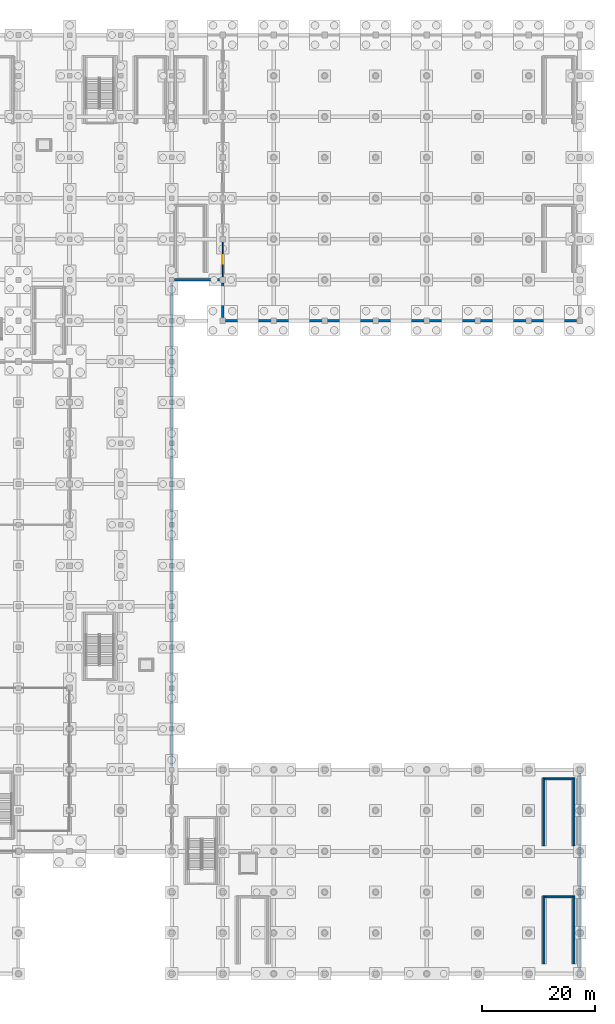
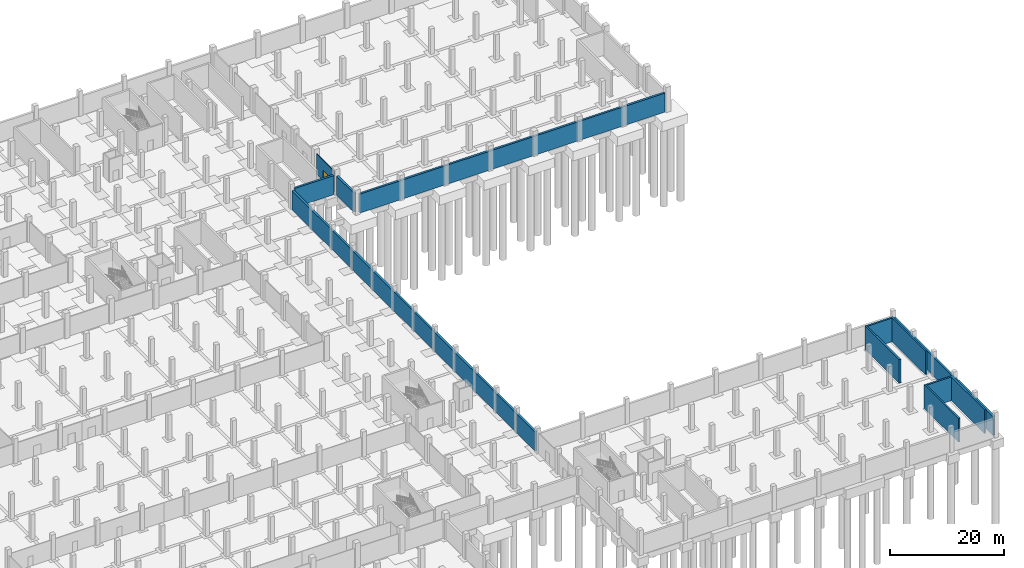
# One storey, part 24 of 39: 12 walls, 1 door, 1 opening.
"""IFC4 building model written with IfcOpenShell, lengths in metres."""

from ifc_helpers import new_model, si_unit, direction, frame, frame_2d, origin, place, context, subcontext, project, spatial, rectangle, extrude, material, layer, layer_set, type_object, element, fill, save


model = new_model("IFC4")

# Units and contexts
model_context = context("Model", 3, precision=1e-05, world=origin(), true_north=direction((0.0, 1.0)))
body_context = subcontext(model_context, "Body", "Model", "MODEL_VIEW")
ifc_project = project(units=[si_unit("LENGTHUNIT", "METRE"), si_unit("AREAUNIT", "SQUARE_METRE"), si_unit("VOLUMEUNIT", "CUBIC_METRE"), si_unit("PLANEANGLEUNIT", "RADIAN"), si_unit("MASSUNIT", "GRAM", prefix="KILO")], contexts=[model_context])

# Site, building, storey
site_placement = place(None, origin())
site = spatial("IfcSite", under=ifc_project, at=site_placement, CompositionType="ELEMENT")
building_placement = place(site_placement, origin())
building = spatial("IfcBuilding", under=site, at=building_placement, Name="Celestram Park Convention Centre", CompositionType="ELEMENT")
storey_placement = place(building_placement, frame((0.0, 0.0, -5.39990234375)))
storey = spatial("IfcBuildingStorey", under=building, at=storey_placement, Name="B1", CompositionType="ELEMENT", Elevation=-5.39990234375)

# Wall, opening, door
ifc_material_1 = material(Name="Fire-Rated Gypsum & Steel Stud 180 mm", Category="steel")
ifc_layer_1 = layer(ifc_material_1, 0.179931640625)
ifc_layer_set_1 = layer_set([ifc_layer_1], Name="Fire-Rated Gypsum & Steel Stud 180 mm")
wall_type_1 = type_object("IfcWallType", Name="ARC-WL-PRT180", PredefinedType="PARTITIONING", material=ifc_layer_set_1)
wall_1_placement = place(storey_placement, frame((153.0, 122.89794921875, 0.0), z_axis=(0.0, 0.0, 1.0), x_axis=(0.0, 1.0, 0.0)))
wall_1 = element("IfcWall", 1, at=wall_1_placement, inside=storey, type_object=wall_type_1, Name="Interior partition WL-B1-IN0534", PredefinedType="PARTITIONING", context=body_context, shape_type="SweptSolid", body=[
    extrude(rectangle(XDim=6.2041015625, YDim=0.179931640625, at=frame_2d((3.10205078125, 0.0))), origin(), (0.0, 0.0, 1.0), 4.39697265625),
])
opening_placement = place(wall_1_placement, frame((2.35205078125, 0.0, 0.0)))
opening = element("IfcOpeningElement", 2, at=opening_placement, cuts=wall_1, Name="Opening D-09", PredefinedType="OPENING", context=body_context, shape_type="SweptSolid", body=[
    extrude(rectangle(XDim=1.5, YDim=2.25, at=frame_2d((0.75, 1.125))), frame((0.0, 0.099853515625, 0.0), z_axis=(0.0, -1.0, 0.0), x_axis=(1.0, 0.0, 0.0)), (0.0, 0.0, 1.0), 0.199951171875),
])
ifc_material_2 = material(Name="Galvanised Hollow Metal Plant Double Door", Category="steel")
door_type = type_object("IfcDoorType", Name="ARC-DR-PLT150", OperationType="NOTDEFINED", PredefinedType="DOOR", material=ifc_material_2)
door_placement = place(opening_placement, origin())
door = element("IfcDoor", 3, at=door_placement, inside=storey, type_object=door_type, Name="Auditorium Plant Room entrance door", OperationType="DOUBLE_DOOR_SINGLE_SWING", OverallHeight=2.25, OverallWidth=1.5, PredefinedType="DOOR", context=body_context, shape_type="SweptSolid", body=[
    extrude(rectangle(XDim=1.5, YDim=2.25, at=frame_2d((0.75, 1.125))), frame((0.0, 0.02490234375, 0.0), z_axis=(0.0, -1.0, 0.0), x_axis=(1.0, 0.0, 0.0)), (0.0, 0.0, 1.0), 0.050048828125),
])
fill(opening, door)

# Walls
ifc_material_3 = material(Name="Concrete C40/50", Category="concrete")
ifc_layer_2 = layer(ifc_material_3, 0.419921875)
ifc_layer_set_2 = layer_set([ifc_layer_2], Name="Concrete C40/50")
wall_type_2 = type_object("IfcWallType", Name="STR-WL-RET420", PredefinedType="USERDEFINED", material=ifc_layer_set_2)
wall_2_placement = place(storey_placement, frame((215.449951171875, 115.199951171875, 0.0), z_axis=(0.0, 0.0, 1.0), x_axis=(-1.0, 0.0, 0.0)))
element("IfcWall", 4, at=wall_2_placement, inside=storey, type_object=wall_type_2, Name="Basement retaining wall WL-B1-RET09", ObjectType="RETAININGWALL", PredefinedType="USERDEFINED", context=body_context, shape_type="SweptSolid", body=[
    extrude(rectangle(XDim=61.89990234375, YDim=0.419921875, at=frame_2d((30.949951171875, 0.0))), origin(), (0.0, 0.0, 1.0), 4.079833984375),
])
wall_3_placement = place(storey_placement, frame((153.0, 115.75, 0.0), z_axis=(0.0, 0.0, 1.0), x_axis=(0.0, 1.0, 0.0)))
element("IfcWall", 5, at=wall_3_placement, inside=storey, type_object=wall_type_2, Name="Basement retaining wall WL-B1-RET10", ObjectType="RETAININGWALL", PredefinedType="USERDEFINED", context=body_context, shape_type="SweptSolid", body=[
    extrude(rectangle(XDim=6.10009765625, YDim=0.419921875, at=frame_2d((3.050048828125, 0.0))), origin(), (0.0, 0.0, 1.0), 4.079833984375),
])
wall_4_placement = place(storey_placement, frame((152.449951171875, 122.39990234375, 0.0), z_axis=(0.0, 0.0, 1.0), x_axis=(-1.0, 0.0, 0.0)))
element("IfcWall", 6, at=wall_4_placement, inside=storey, type_object=wall_type_2, Name="Basement retaining wall WL-B1-RET11", ObjectType="RETAININGWALL", PredefinedType="USERDEFINED", context=body_context, shape_type="SweptSolid", body=[
    extrude(rectangle(XDim=7.89990234375, YDim=0.419921875, at=frame_2d((3.949951171875, 0.0))), origin(), (0.0, 0.0, 1.0), 4.079833984375),
])
wall_5_placement = place(storey_placement, frame((144.0, 121.85009765625, 0.0), z_axis=(0.0, 0.0, 1.0), x_axis=(0.0, -1.0, 0.0)))
element("IfcWall", 7, at=wall_5_placement, inside=storey, type_object=wall_type_2, Name="Basement retaining wall WL-B1-RET12", ObjectType="RETAININGWALL", PredefinedType="USERDEFINED", context=body_context, shape_type="SweptSolid", body=[
    extrude(rectangle(XDim=85.300048828125, YDim=0.419921875, at=frame_2d((42.64990234375, 0.0))), origin(), (0.0, 0.0, 1.0), 4.079833984375),
])
wall_6_placement = place(storey_placement, frame((216.0, 35.449951171875, 0.0), z_axis=(0.0, 0.0, 1.0), x_axis=(0.0, -1.0, 0.0)))
element("IfcWall", 8, at=wall_6_placement, inside=storey, type_object=wall_type_2, Name="Basement retaining wall WL-B1-RET14", ObjectType="RETAININGWALL", PredefinedType="USERDEFINED", context=body_context, shape_type="SweptSolid", body=[
    extrude(rectangle(XDim=34.89990234375, YDim=0.419921875, at=frame_2d((17.449951171875, 0.0))), origin(), (0.0, 0.0, 1.0), 4.079833984375),
])
ifc_layer_3 = layer(ifc_material_3, 0.340087890625)
ifc_layer_set_3 = layer_set([ifc_layer_3], Name="Concrete C40/50")
wall_type_3 = type_object("IfcWallType", Name="STR-WL-SHR340", PredefinedType="SHEAR", material=ifc_layer_set_3)
for number, where, z_axis, x_axis, name in (
    (9, (209.669921875, 1.75, 0.0), (0.0, 0.0, 1.0), (0.0, 1.0, 0.0), "Core S11 shear wall L"),
    (10, (214.969970703125, 13.739990234375, 0.0), (0.0, 0.0, 1.0), (0.0, -1.0, 0.0), "Core S11 shear wall R"),
):
    element("IfcWall", number, at=place(storey_placement, frame(where, z_axis=z_axis, x_axis=x_axis)), inside=storey, type_object=wall_type_3, Name=name, PredefinedType="SHEAR", context=body_context, shape_type="SweptSolid", body=[
        extrude(rectangle(XDim=11.989990234375, YDim=0.340087890625, at=frame_2d((5.9951171875, 0.0))), origin(), (0.0, 0.0, 1.0), 5.079833984375),
    ])
wall_7_placement = place(storey_placement, frame((209.840087890625, 13.570068359375, 0.0), z_axis=(0.0, 0.0, 1.0), x_axis=(1.0, 0.0, 0.0)))
element("IfcWall", 11, at=wall_7_placement, inside=storey, type_object=wall_type_3, Name="Core S11 shear wall F", PredefinedType="SHEAR", context=body_context, shape_type="SweptSolid", body=[
    extrude(rectangle(XDim=4.9599609375, YDim=0.340087890625, at=frame_2d((2.47998046875, 0.0))), origin(), (0.0, 0.0, 1.0), 5.079833984375),
])
for number, where, z_axis, x_axis, name in (
    (12, (209.669921875, 22.550048828125, 0.0), (0.0, 0.0, 1.0), (0.0, 1.0, 0.0), "Core S12 shear wall L"),
    (13, (214.969970703125, 34.5400390625, 0.0), (0.0, 0.0, 1.0), (0.0, -1.0, 0.0), "Core S12 shear wall R"),
):
    element("IfcWall", number, at=place(storey_placement, frame(where, z_axis=z_axis, x_axis=x_axis)), inside=storey, type_object=wall_type_3, Name=name, PredefinedType="SHEAR", context=body_context, shape_type="SweptSolid", body=[
        extrude(rectangle(XDim=11.989990234375, YDim=0.340087890625, at=frame_2d((5.9951171875, 0.0))), origin(), (0.0, 0.0, 1.0), 5.079833984375),
    ])
wall_8_placement = place(storey_placement, frame((209.840087890625, 34.3701171875, 0.0), z_axis=(0.0, 0.0, 1.0), x_axis=(1.0, 0.0, 0.0)))
element("IfcWall", 14, at=wall_8_placement, inside=storey, type_object=wall_type_3, Name="Core S12 shear wall F", PredefinedType="SHEAR", context=body_context, shape_type="SweptSolid", body=[
    extrude(rectangle(XDim=4.9599609375, YDim=0.340087890625, at=frame_2d((2.47998046875, 0.0))), origin(), (0.0, 0.0, 1.0), 5.079833984375),
])

save(model, "model.ifc")
